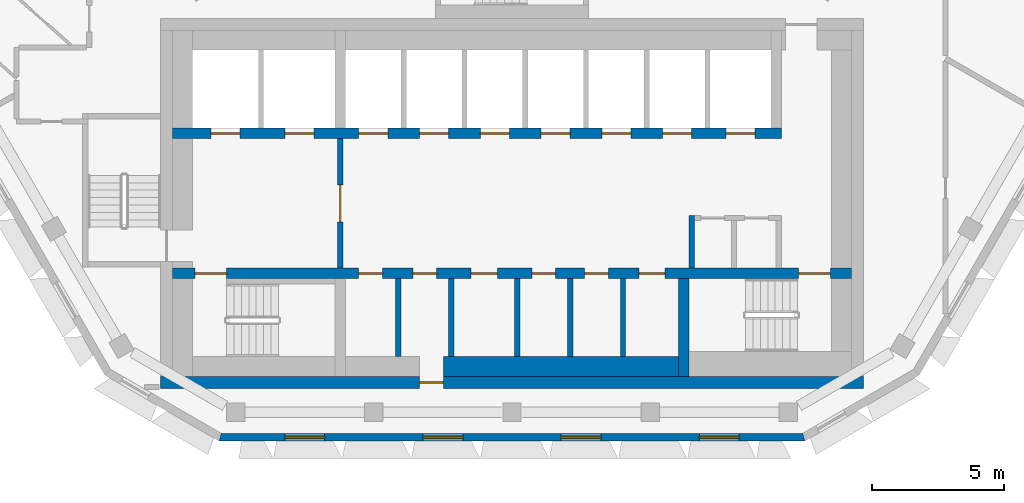
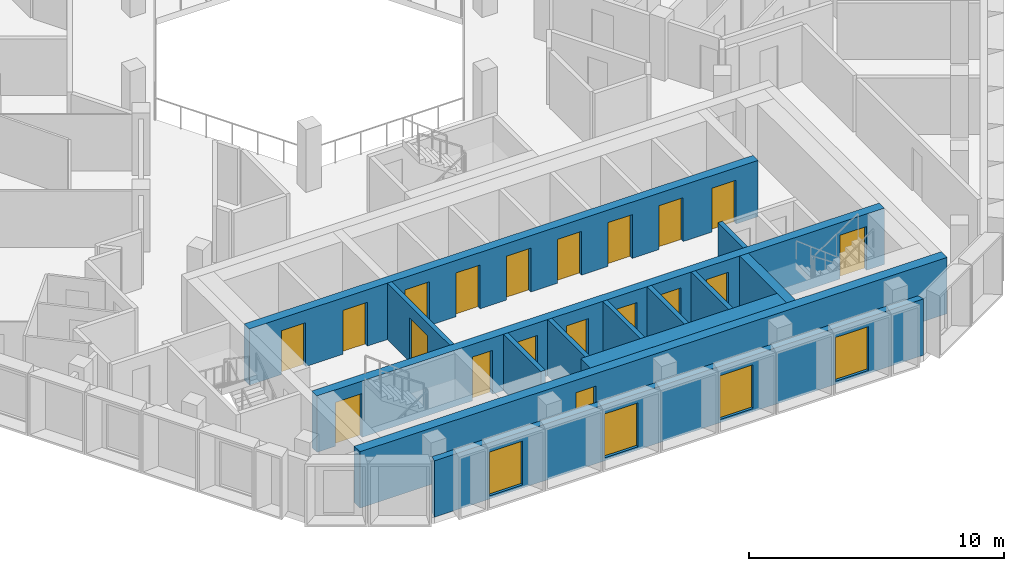
# One storey, part 3 of 14: 19 doors, 13 walls, 4 windows, 23 openings.
"""IFC4 building model written with IfcOpenShell, lengths in metres."""

from ifc_helpers import new_model, si_unit, direction, frame, frame_2d, origin, place, context, subcontext, project, spatial, polyline, rectangle, outline, extrude, material, layer, layer_set, type_object, element, fill, save


model = new_model("IFC4")

# Units and contexts
model_context = context("Model", 3, precision=1e-05, world=origin(), true_north=direction((0.0, 1.0)))
body_context = subcontext(model_context, "Body", "Model", "MODEL_VIEW")
ifc_project = project(units=[si_unit("LENGTHUNIT", "METRE"), si_unit("AREAUNIT", "SQUARE_METRE"), si_unit("VOLUMEUNIT", "CUBIC_METRE"), si_unit("PLANEANGLEUNIT", "RADIAN"), si_unit("MASSUNIT", "GRAM", prefix="KILO")], contexts=[model_context])

# Site, building, storey
site_placement = place(None, origin())
site = spatial("IfcSite", under=ifc_project, at=site_placement, CompositionType="ELEMENT")
building_placement = place(site_placement, origin())
building = spatial("IfcBuilding", under=site, at=building_placement, Name="Beryl Residences", CompositionType="ELEMENT")
storey_placement = place(building_placement, frame((0.0, 0.0, 229.800048828125)))
storey = spatial("IfcBuildingStorey", under=building, at=storey_placement, Name="L71", CompositionType="ELEMENT", Elevation=229.800048828125)

# Wall, openings, windows
ifc_material_1 = material(Name="Composite metal panel with mineral wool insulation")
ifc_layer_1 = layer(ifc_material_1, 0.300048828125)
ifc_layer_set_1 = layer_set([ifc_layer_1], Name="ES1 pale metal composite panel wall 300 mm")
wall_type_1 = type_object("IfcWallType", Name="ES1 pale metal composite panel wall 300 mm", PredefinedType="SOLIDWALL", material=ifc_layer_set_1)
wall_1_placement = place(storey_placement, frame((-11.0849609375, -20.85009765625, 0.0), z_axis=(0.0, 0.0, 1.0), x_axis=(1.0, 0.0, 0.0)))
wall_1 = element("IfcWall", 1, at=wall_1_placement, inside=storey, type_object=wall_type_1, Name="ES1 external wall L71 S", PredefinedType="SOLIDWALL", context=body_context, shape_type="SweptSolid", body=[
    extrude(outline(polyline([(0.0, -0.14990234375), (22.169921875, -0.14990234375), (22.089599609375, 0.14990234375), (0.080322265625, 0.14990234375), (0.0, -0.14990234375)])), origin(), (0.0, 0.0, 1.0), 2.699951171875),
])
opening_1_placement = place(wall_1_placement, frame((2.498046875, 0.0, 0.14990234375)))
opening_1 = element("IfcOpeningElement", 2, at=opening_1_placement, cuts=wall_1, Name="Opening W1", PredefinedType="OPENING", context=body_context, shape_type="SweptSolid", body=[
    extrude(rectangle(XDim=1.5, YDim=2.10009765625, at=frame_2d((0.75, 1.050048828125))), frame((0.0, 0.159912109375, 0.0), z_axis=(0.0, -1.0, 0.0), x_axis=(1.0, 0.0, 0.0)), (0.0, 0.0, 1.0), 0.320068359375),
])
opening_2_placement = place(wall_1_placement, frame((7.722900390625, 0.0, 0.14990234375)))
opening_2 = element("IfcOpeningElement", 3, at=opening_2_placement, cuts=wall_1, Name="Opening W1", PredefinedType="OPENING", context=body_context, shape_type="SweptSolid", body=[
    extrude(rectangle(XDim=1.5, YDim=2.10009765625, at=frame_2d((0.75, 1.050048828125))), frame((0.0, 0.159912109375, 0.0), z_axis=(0.0, -1.0, 0.0), x_axis=(1.0, 0.0, 0.0)), (0.0, 0.0, 1.0), 0.320068359375),
])
opening_3_placement = place(wall_1_placement, frame((12.947021484375, 0.0, 0.14990234375)))
opening_3 = element("IfcOpeningElement", 4, at=opening_3_placement, cuts=wall_1, Name="Opening W1", PredefinedType="OPENING", context=body_context, shape_type="SweptSolid", body=[
    extrude(rectangle(XDim=1.5, YDim=2.10009765625, at=frame_2d((0.75, 1.050048828125))), frame((0.0, 0.159912109375, 0.0), z_axis=(0.0, -1.0, 0.0), x_axis=(1.0, 0.0, 0.0)), (0.0, 0.0, 1.0), 0.320068359375),
])
opening_4_placement = place(wall_1_placement, frame((18.172119140625, 0.0, 0.14990234375)))
opening_4 = element("IfcOpeningElement", 5, at=opening_4_placement, cuts=wall_1, Name="Opening W1", PredefinedType="OPENING", context=body_context, shape_type="SweptSolid", body=[
    extrude(rectangle(XDim=1.5, YDim=2.10009765625, at=frame_2d((0.75, 1.050048828125))), frame((0.0, 0.159912109375, 0.0), z_axis=(0.0, -1.0, 0.0), x_axis=(1.0, 0.0, 0.0)), (0.0, 0.0, 1.0), 0.320068359375),
])
ifc_material_2 = material(Name="Aluminium and clear glass", Category="aluminium")
window_type = type_object("IfcWindowType", Name="W1 cell window 1500 x 2100 mm", PartitioningType="SINGLE_PANEL", PredefinedType="WINDOW", material=ifc_material_2)
window_1_placement = place(opening_1_placement, origin())
window_1 = element("IfcWindow", 6, at=window_1_placement, inside=storey, type_object=window_type, Name="W1 window L71 S 2", OverallHeight=2.10009765625, OverallWidth=1.5, PartitioningType="SINGLE_PANEL", PredefinedType="WINDOW", context=body_context, shape_type="SweptSolid", body=[
    extrude(rectangle(XDim=1.5, YDim=2.10009765625, at=frame_2d((0.75, 1.050048828125))), frame((0.0, 0.030029296875, 0.0), z_axis=(0.0, -1.0, 0.0), x_axis=(1.0, 0.0, 0.0)), (0.0, 0.0, 1.0), 0.06005859375),
])
fill(opening_1, window_1)
window_2_placement = place(opening_2_placement, origin())
window_2 = element("IfcWindow", 7, at=window_2_placement, inside=storey, type_object=window_type, Name="W1 window L71 S 4", OverallHeight=2.10009765625, OverallWidth=1.5, PartitioningType="SINGLE_PANEL", PredefinedType="WINDOW", context=body_context, shape_type="SweptSolid", body=[
    extrude(rectangle(XDim=1.5, YDim=2.10009765625, at=frame_2d((0.75, 1.050048828125))), frame((0.0, 0.030029296875, 0.0), z_axis=(0.0, -1.0, 0.0), x_axis=(1.0, 0.0, 0.0)), (0.0, 0.0, 1.0), 0.06005859375),
])
fill(opening_2, window_2)
window_3_placement = place(opening_3_placement, origin())
window_3 = element("IfcWindow", 8, at=window_3_placement, inside=storey, type_object=window_type, Name="W1 window L71 S 6", OverallHeight=2.10009765625, OverallWidth=1.5, PartitioningType="SINGLE_PANEL", PredefinedType="WINDOW", context=body_context, shape_type="SweptSolid", body=[
    extrude(rectangle(XDim=1.5, YDim=2.10009765625, at=frame_2d((0.75, 1.050048828125))), frame((0.0, 0.030029296875, 0.0), z_axis=(0.0, -1.0, 0.0), x_axis=(1.0, 0.0, 0.0)), (0.0, 0.0, 1.0), 0.06005859375),
])
fill(opening_3, window_3)
window_4_placement = place(opening_4_placement, origin())
window_4 = element("IfcWindow", 9, at=window_4_placement, inside=storey, type_object=window_type, Name="W1 window L71 S 8", OverallHeight=2.10009765625, OverallWidth=1.5, PartitioningType="SINGLE_PANEL", PredefinedType="WINDOW", context=body_context, shape_type="SweptSolid", body=[
    extrude(rectangle(XDim=1.5, YDim=2.10009765625, at=frame_2d((0.75, 1.050048828125))), frame((0.0, 0.030029296875, 0.0), z_axis=(0.0, -1.0, 0.0), x_axis=(1.0, 0.0, 0.0)), (0.0, 0.0, 1.0), 0.06005859375),
])
fill(opening_4, window_4)

# Wall, opening, door
ifc_material_3 = material(Name="Concrete masonry", Category="masonry")
ifc_layer_2 = layer(ifc_material_3, 0.199951171875)
ifc_layer_set_2 = layer_set([ifc_layer_2], Name="PT13 lobby wall 200 mm")
wall_type_2 = type_object("IfcWallType", Name="PT13 lobby wall 200 mm", PredefinedType="PARTITIONING", material=ifc_layer_set_2)
wall_2_placement = place(storey_placement, frame((-6.5, -14.449951171875, 0.0), z_axis=(0.0, 0.0, 1.0), x_axis=(0.0, 1.0, 0.0)))
wall_2 = element("IfcWall", 10, at=wall_2_placement, inside=storey, type_object=wall_type_2, Name="Lobby wall 12", PredefinedType="PARTITIONING", context=body_context, shape_type="SweptSolid", body=[
    extrude(rectangle(XDim=4.89990234375, YDim=0.199951171875, at=frame_2d((2.449951171875, 0.0))), origin(), (0.0, 0.0, 1.0), 2.699951171875),
])
opening_5_placement = place(wall_2_placement, frame((3.14990234375, 0.0, 0.0), z_axis=(0.0, 0.0, 1.0), x_axis=(-1.0, 0.0, 0.0)))
opening_5 = element("IfcOpeningElement", 11, at=opening_5_placement, cuts=wall_2, Name="Opening FD-FFL", PredefinedType="OPENING", context=body_context, shape_type="SweptSolid", body=[
    extrude(rectangle(XDim=1.39990234375, YDim=2.10009765625, at=frame_2d((0.699951171875, 1.050048828125))), frame((0.0, 0.10986328125, 0.0), z_axis=(0.0, -1.0, 0.0), x_axis=(1.0, 0.0, 0.0)), (0.0, 0.0, 1.0), 0.219970703125),
])
ifc_material_4 = material(Name="Steel door leaf in steel frame", Category="steel")
door_type_1 = type_object("IfcDoorType", Name="D5 lobby door 1400 x 2100 mm", OperationType="DOUBLE_DOOR_SINGLE_SWING", PredefinedType="DOOR", material=ifc_material_4)
door_1_placement = place(opening_5_placement, origin())
door_1 = element("IfcDoor", 12, at=door_1_placement, inside=storey, type_object=door_type_1, Name="Door FD-FFL L71 001", OperationType="DOUBLE_DOOR_SINGLE_SWING", OverallHeight=2.10009765625, OverallWidth=1.39990234375, PredefinedType="DOOR", context=body_context, shape_type="SweptSolid", body=[
    extrude(rectangle(XDim=1.39990234375, YDim=2.10009765625, at=frame_2d((0.699951171875, 1.050048828125))), frame((0.0, 0.02490234375, 0.0), z_axis=(0.0, -1.0, 0.0), x_axis=(1.0, 0.0, 0.0)), (0.0, 0.0, 1.0), 0.050048828125),
])
fill(opening_5, door_1)

# Walls
wall_3_placement = place(storey_placement, frame((6.800048828125, -14.449951171875, 0.0), z_axis=(0.0, 0.0, 1.0), x_axis=(0.0, 1.0, 0.0)))
element("IfcWall", 13, at=wall_3_placement, inside=storey, type_object=wall_type_2, Name="Lobby wall 27", PredefinedType="PARTITIONING", context=body_context, shape_type="SweptSolid", body=[
    extrude(rectangle(XDim=2.0, YDim=0.199951171875, at=frame_2d((1.0, 0.0))), origin(), (0.0, 0.0, 1.0), 2.699951171875),
])
ifc_material_5 = material(Name="Concrete masonry", Category="masonry")
ifc_layer_3 = layer(ifc_material_5, 0.199951171875)
ifc_layer_set_3 = layer_set([ifc_layer_3], Name="PT8-200 service room wall 200 mm")
wall_type_3 = type_object("IfcWallType", Name="PT8-200 service room wall 200 mm", PredefinedType="PARTITIONING", material=ifc_layer_set_3)
for number, where, z_axis, x_axis, name in (
    (14, (-4.300048828125, -17.800048828125, 0.0), (0.0, 0.0, 1.0), (0.0, 1.0, 0.0), "Core room wall 15"),
    (15, (-2.300048828125, -17.800048828125, 0.0), (0.0, 0.0, 1.0), (0.0, 1.0, 0.0), "Core room wall 18"),
    (16, (0.199951171875, -17.800048828125, 0.0), (0.0, 0.0, 1.0), (0.0, 1.0, 0.0), "Core room wall 20"),
    (17, (2.199951171875, -17.800048828125, 0.0), (0.0, 0.0, 1.0), (0.0, 1.0, 0.0), "Core room wall 22"),
    (18, (4.199951171875, -17.800048828125, 0.0), (0.0, 0.0, 1.0), (0.0, 1.0, 0.0), "Core room wall 24"),
):
    element("IfcWall", number, at=place(storey_placement, frame(where, z_axis=z_axis, x_axis=x_axis)), inside=storey, type_object=wall_type_3, Name=name, PredefinedType="PARTITIONING", context=body_context, shape_type="SweptSolid", body=[
        extrude(rectangle(XDim=2.949951171875, YDim=0.199951171875, at=frame_2d((1.47509765625, 0.0))), origin(), (0.0, 0.0, 1.0), 2.699951171875),
    ])
ifc_material_6 = material(Name="Concrete masonry", Category="masonry")
ifc_layer_4 = layer(ifc_material_6, 0.75)
ifc_layer_set_4 = layer_set([ifc_layer_4], Name="PT8-750 service room wall 750 mm")
wall_type_4 = type_object("IfcWallType", Name="PT8-750 service room wall 750 mm", PredefinedType="PARTITIONING", material=ifc_layer_set_4)
wall_4_placement = place(storey_placement, frame((-2.60009765625, -18.175048828125, 0.0), z_axis=(0.0, 0.0, 1.0), x_axis=(1.0, 0.0, 0.0)))
element("IfcWall", 19, at=wall_4_placement, inside=storey, type_object=wall_type_4, Name="Core room wall 17", PredefinedType="PARTITIONING", context=body_context, shape_type="SweptSolid", body=[
    extrude(rectangle(XDim=8.900146484375, YDim=0.75, at=frame_2d((4.4501953125, 0.0))), origin(), (0.0, 0.0, 1.0), 2.699951171875),
])

# Wall, openings, doors
ifc_material_7 = material(Name="Concrete C50/60", Category="concrete")
ifc_layer_5 = layer(ifc_material_7, 0.39990234375)
ifc_layer_set_5 = layer_set([ifc_layer_5], Name="SW10 core internal wall 400 mm C50/60")
wall_type_5 = type_object("IfcWallType", Name="SW10 core internal wall 400 mm C50/60", PredefinedType="SHEAR", material=ifc_layer_set_5)
wall_5_placement = place(storey_placement, frame((-12.85009765625, -14.64990234375, 0.0), z_axis=(0.0, 0.0, 1.0), x_axis=(1.0, 0.0, 0.0)))
wall_5 = element("IfcWall", 20, at=wall_5_placement, inside=storey, type_object=wall_type_5, Name="Core wall SP1 L71", PredefinedType="SHEAR", context=body_context, shape_type="SweptSolid", body=[
    extrude(rectangle(XDim=25.7001953125, YDim=0.39990234375, at=frame_2d((12.85009765625, 0.0))), origin(), (0.0, 0.0, 1.0), 2.699951171875),
])
opening_6_placement = place(wall_5_placement, frame((2.050048828125, 0.0, 0.0), z_axis=(0.0, 0.0, 1.0), x_axis=(-1.0, 0.0, 0.0)))
opening_6 = element("IfcOpeningElement", 21, at=opening_6_placement, cuts=wall_5, Name="Opening SD-1", PredefinedType="OPENING", context=body_context, shape_type="SweptSolid", body=[
    extrude(rectangle(XDim=1.199951171875, YDim=2.10009765625, at=frame_2d((0.60009765625, 1.050048828125))), frame((0.0, 0.2099609375, 0.0), z_axis=(0.0, -1.0, 0.0), x_axis=(1.0, 0.0, 0.0)), (0.0, 0.0, 1.0), 0.419921875),
])
opening_7_placement = place(wall_5_placement, frame((24.89990234375, 0.0, 0.0), z_axis=(0.0, 0.0, 1.0), x_axis=(-1.0, 0.0, 0.0)))
opening_7 = element("IfcOpeningElement", 22, at=opening_7_placement, cuts=wall_5, Name="Opening SD-3", PredefinedType="OPENING", context=body_context, shape_type="SweptSolid", body=[
    extrude(rectangle(XDim=1.199951171875, YDim=2.10009765625, at=frame_2d((0.60009765625, 1.050048828125))), frame((0.0, 0.2099609375, 0.0), z_axis=(0.0, -1.0, 0.0), x_axis=(1.0, 0.0, 0.0)), (0.0, 0.0, 1.0), 0.419921875),
])
opening_8_placement = place(wall_5_placement, frame((7.949951171875, 0.0, 0.0), z_axis=(0.0, 0.0, 1.0), x_axis=(-1.0, 0.0, 0.0)))
opening_8 = element("IfcOpeningElement", 23, at=opening_8_placement, cuts=wall_5, Name="Opening CD-D-S1-900", PredefinedType="OPENING", context=body_context, shape_type="SweptSolid", body=[
    extrude(rectangle(XDim=0.89990234375, YDim=2.10009765625, at=frame_2d((0.449951171875, 1.050048828125))), frame((0.0, 0.2099609375, 0.0), z_axis=(0.0, -1.0, 0.0), x_axis=(1.0, 0.0, 0.0)), (0.0, 0.0, 1.0), 0.419921875),
])
opening_9_placement = place(wall_5_placement, frame((10.0, 0.0, 0.0), z_axis=(0.0, 0.0, 1.0), x_axis=(-1.0, 0.0, 0.0)))
opening_9 = element("IfcOpeningElement", 24, at=opening_9_placement, cuts=wall_5, Name="Opening CD-D-S2-900", PredefinedType="OPENING", context=body_context, shape_type="SweptSolid", body=[
    extrude(rectangle(XDim=0.89990234375, YDim=2.10009765625, at=frame_2d((0.449951171875, 1.050048828125))), frame((0.0, 0.2099609375, 0.0), z_axis=(0.0, -1.0, 0.0), x_axis=(1.0, 0.0, 0.0)), (0.0, 0.0, 1.0), 0.419921875),
])
opening_10_placement = place(wall_5_placement, frame((12.300048828125, 0.0, 0.0), z_axis=(0.0, 0.0, 1.0), x_axis=(-1.0, 0.0, 0.0)))
opening_10 = element("IfcOpeningElement", 25, at=opening_10_placement, cuts=wall_5, Name="Opening CD-D-S3", PredefinedType="OPENING", context=body_context, shape_type="SweptSolid", body=[
    extrude(rectangle(XDim=1.0, YDim=2.10009765625, at=frame_2d((0.5, 1.050048828125))), frame((0.0, 0.2099609375, 0.0), z_axis=(0.0, -1.0, 0.0), x_axis=(1.0, 0.0, 0.0)), (0.0, 0.0, 1.0), 0.419921875),
])
opening_11_placement = place(wall_5_placement, frame((14.5, 0.0, 0.0), z_axis=(0.0, 0.0, 1.0), x_axis=(-1.0, 0.0, 0.0)))
opening_11 = element("IfcOpeningElement", 26, at=opening_11_placement, cuts=wall_5, Name="Opening CD-D-S4-900", PredefinedType="OPENING", context=body_context, shape_type="SweptSolid", body=[
    extrude(rectangle(XDim=0.89990234375, YDim=2.10009765625, at=frame_2d((0.449951171875, 1.050048828125))), frame((0.0, 0.2099609375, 0.0), z_axis=(0.0, -1.0, 0.0), x_axis=(1.0, 0.0, 0.0)), (0.0, 0.0, 1.0), 0.419921875),
])
opening_12_placement = place(wall_5_placement, frame((16.5, 0.0, 0.0), z_axis=(0.0, 0.0, 1.0), x_axis=(-1.0, 0.0, 0.0)))
opening_12 = element("IfcOpeningElement", 27, at=opening_12_placement, cuts=wall_5, Name="Opening CD-D-S5-900", PredefinedType="OPENING", context=body_context, shape_type="SweptSolid", body=[
    extrude(rectangle(XDim=0.89990234375, YDim=2.10009765625, at=frame_2d((0.449951171875, 1.050048828125))), frame((0.0, 0.2099609375, 0.0), z_axis=(0.0, -1.0, 0.0), x_axis=(1.0, 0.0, 0.0)), (0.0, 0.0, 1.0), 0.419921875),
])
opening_13_placement = place(wall_5_placement, frame((18.64990234375, 0.0, 0.0), z_axis=(0.0, 0.0, 1.0), x_axis=(-1.0, 0.0, 0.0)))
opening_13 = element("IfcOpeningElement", 28, at=opening_13_placement, cuts=wall_5, Name="Opening CD-D-S6", PredefinedType="OPENING", context=body_context, shape_type="SweptSolid", body=[
    extrude(rectangle(XDim=1.0, YDim=2.10009765625, at=frame_2d((0.5, 1.050048828125))), frame((0.0, 0.2099609375, 0.0), z_axis=(0.0, -1.0, 0.0), x_axis=(1.0, 0.0, 0.0)), (0.0, 0.0, 1.0), 0.419921875),
])
ifc_material_8 = material(Name="Steel door leaf in steel frame", Category="steel")
door_type_2 = type_object("IfcDoorType", Name="D18 service room door 1000 x 2100 mm", OperationType="SINGLE_SWING_LEFT", PredefinedType="DOOR", material=ifc_material_8)
door_2_placement = place(opening_10_placement, origin())
door_2 = element("IfcDoor", 29, at=door_2_placement, inside=storey, type_object=door_type_2, Name="Door CD-D-S3 L71 001", OperationType="SINGLE_SWING_RIGHT", OverallHeight=2.10009765625, OverallWidth=1.0, PredefinedType="DOOR", context=body_context, shape_type="SweptSolid", body=[
    extrude(rectangle(XDim=1.0, YDim=2.10009765625, at=frame_2d((0.5, 1.050048828125))), frame((0.0, 0.02490234375, 0.0), z_axis=(0.0, -1.0, 0.0), x_axis=(1.0, 0.0, 0.0)), (0.0, 0.0, 1.0), 0.050048828125),
])
fill(opening_10, door_2)
door_3_placement = place(opening_13_placement, origin())
door_3 = element("IfcDoor", 30, at=door_3_placement, inside=storey, type_object=door_type_2, Name="Door CD-D-S6 L71 001", OperationType="SINGLE_SWING_LEFT", OverallHeight=2.10009765625, OverallWidth=1.0, PredefinedType="DOOR", context=body_context, shape_type="SweptSolid", body=[
    extrude(rectangle(XDim=1.0, YDim=2.10009765625, at=frame_2d((0.5, 1.050048828125))), frame((0.0, 0.02490234375, 0.0), z_axis=(0.0, -1.0, 0.0), x_axis=(1.0, 0.0, 0.0)), (0.0, 0.0, 1.0), 0.050048828125),
])
fill(opening_13, door_3)
ifc_material_9 = material(Name="Steel door leaf in steel frame", Category="steel")
door_type_3 = type_object("IfcDoorType", Name="D4 stair door 1200 x 2100 mm", OperationType="SINGLE_SWING_LEFT", PredefinedType="DOOR", material=ifc_material_9)
door_4_placement = place(opening_6_placement, origin())
door_4 = element("IfcDoor", 31, at=door_4_placement, inside=storey, type_object=door_type_3, Name="Door SD-1 L71 001", OperationType="SINGLE_SWING_RIGHT", OverallHeight=2.10009765625, OverallWidth=1.199951171875, PredefinedType="DOOR", context=body_context, shape_type="SweptSolid", body=[
    extrude(rectangle(XDim=1.199951171875, YDim=2.10009765625, at=frame_2d((0.60009765625, 1.050048828125))), frame((0.0, 0.02490234375, 0.0), z_axis=(0.0, -1.0, 0.0), x_axis=(1.0, 0.0, 0.0)), (0.0, 0.0, 1.0), 0.050048828125),
])
fill(opening_6, door_4)
door_5_placement = place(opening_7_placement, origin())
door_5 = element("IfcDoor", 32, at=door_5_placement, inside=storey, type_object=door_type_3, Name="Door SD-3 L71 001", OperationType="SINGLE_SWING_RIGHT", OverallHeight=2.10009765625, OverallWidth=1.199951171875, PredefinedType="DOOR", context=body_context, shape_type="SweptSolid", body=[
    extrude(rectangle(XDim=1.199951171875, YDim=2.10009765625, at=frame_2d((0.60009765625, 1.050048828125))), frame((0.0, 0.02490234375, 0.0), z_axis=(0.0, -1.0, 0.0), x_axis=(1.0, 0.0, 0.0)), (0.0, 0.0, 1.0), 0.050048828125),
])
fill(opening_7, door_5)
ifc_material_10 = material(Name="Steel door leaf in steel frame", Category="steel")
door_type_4 = type_object("IfcDoorType", Name="D6 service room door 900 x 2100 mm", OperationType="SINGLE_SWING_LEFT", PredefinedType="DOOR", material=ifc_material_10)
door_6_placement = place(opening_8_placement, origin())
door_6 = element("IfcDoor", 33, at=door_6_placement, inside=storey, type_object=door_type_4, Name="Door CD-D-S1-900 L71 001", OperationType="SINGLE_SWING_RIGHT", OverallHeight=2.10009765625, OverallWidth=0.89990234375, PredefinedType="DOOR", context=body_context, shape_type="SweptSolid", body=[
    extrude(rectangle(XDim=0.89990234375, YDim=2.10009765625, at=frame_2d((0.449951171875, 1.050048828125))), frame((0.0, 0.02490234375, 0.0), z_axis=(0.0, -1.0, 0.0), x_axis=(1.0, 0.0, 0.0)), (0.0, 0.0, 1.0), 0.050048828125),
])
fill(opening_8, door_6)
door_7_placement = place(opening_9_placement, origin())
door_7 = element("IfcDoor", 34, at=door_7_placement, inside=storey, type_object=door_type_4, Name="Door CD-D-S2-900 L71 001", OperationType="SINGLE_SWING_LEFT", OverallHeight=2.10009765625, OverallWidth=0.89990234375, PredefinedType="DOOR", context=body_context, shape_type="SweptSolid", body=[
    extrude(rectangle(XDim=0.89990234375, YDim=2.10009765625, at=frame_2d((0.449951171875, 1.050048828125))), frame((0.0, 0.02490234375, 0.0), z_axis=(0.0, -1.0, 0.0), x_axis=(1.0, 0.0, 0.0)), (0.0, 0.0, 1.0), 0.050048828125),
])
fill(opening_9, door_7)
door_8_placement = place(opening_11_placement, origin())
door_8 = element("IfcDoor", 35, at=door_8_placement, inside=storey, type_object=door_type_4, Name="Door CD-D-S4-900 L71 001", OperationType="SINGLE_SWING_LEFT", OverallHeight=2.10009765625, OverallWidth=0.89990234375, PredefinedType="DOOR", context=body_context, shape_type="SweptSolid", body=[
    extrude(rectangle(XDim=0.89990234375, YDim=2.10009765625, at=frame_2d((0.449951171875, 1.050048828125))), frame((0.0, 0.02490234375, 0.0), z_axis=(0.0, -1.0, 0.0), x_axis=(1.0, 0.0, 0.0)), (0.0, 0.0, 1.0), 0.050048828125),
])
fill(opening_11, door_8)
door_9_placement = place(opening_12_placement, origin())
door_9 = element("IfcDoor", 36, at=door_9_placement, inside=storey, type_object=door_type_4, Name="Door CD-D-S5-900 L71 001", OperationType="SINGLE_SWING_RIGHT", OverallHeight=2.10009765625, OverallWidth=0.89990234375, PredefinedType="DOOR", context=body_context, shape_type="SweptSolid", body=[
    extrude(rectangle(XDim=0.89990234375, YDim=2.10009765625, at=frame_2d((0.449951171875, 1.050048828125))), frame((0.0, 0.02490234375, 0.0), z_axis=(0.0, -1.0, 0.0), x_axis=(1.0, 0.0, 0.0)), (0.0, 0.0, 1.0), 0.050048828125),
])
fill(opening_12, door_9)

wall_6_placement = place(storey_placement, frame((-12.85009765625, -9.35009765625, 0.0), z_axis=(0.0, 0.0, 1.0), x_axis=(1.0, 0.0, 0.0)))
wall_6 = element("IfcWall", 37, at=wall_6_placement, inside=storey, type_object=wall_type_5, Name="Core wall SP2 L71", PredefinedType="SHEAR", context=body_context, shape_type="SweptSolid", body=[
    extrude(rectangle(XDim=23.050048828125, YDim=0.39990234375, at=frame_2d((11.52490234375, 0.0))), origin(), (0.0, 0.0, 1.0), 2.699951171875),
])
opening_14_placement = place(wall_6_placement, frame((1.449951171875, 0.0, 0.0)))
opening_14 = element("IfcOpeningElement", 38, at=opening_14_placement, cuts=wall_6, Name="Opening LD-FF1", PredefinedType="OPENING", context=body_context, shape_type="SweptSolid", body=[
    extrude(rectangle(XDim=1.10009765625, YDim=2.10009765625, at=frame_2d((0.550048828125, 1.050048828125))), frame((0.0, 0.2099609375, 0.0), z_axis=(0.0, -1.0, 0.0), x_axis=(1.0, 0.0, 0.0)), (0.0, 0.0, 1.0), 0.419921875),
])
opening_15_placement = place(wall_6_placement, frame((4.25, 0.0, 0.0)))
opening_15 = element("IfcOpeningElement", 39, at=opening_15_placement, cuts=wall_6, Name="Opening LD-FF2", PredefinedType="OPENING", context=body_context, shape_type="SweptSolid", body=[
    extrude(rectangle(XDim=1.10009765625, YDim=2.10009765625, at=frame_2d((0.550048828125, 1.050048828125))), frame((0.0, 0.2099609375, 0.0), z_axis=(0.0, -1.0, 0.0), x_axis=(1.0, 0.0, 0.0)), (0.0, 0.0, 1.0), 0.419921875),
])
opening_16_placement = place(wall_6_placement, frame((7.050048828125, 0.0, 0.0)))
opening_16 = element("IfcOpeningElement", 40, at=opening_16_placement, cuts=wall_6, Name="Opening LD-HR1", PredefinedType="OPENING", context=body_context, shape_type="SweptSolid", body=[
    extrude(rectangle(XDim=1.10009765625, YDim=2.10009765625, at=frame_2d((0.550048828125, 1.050048828125))), frame((0.0, 0.2099609375, 0.0), z_axis=(0.0, -1.0, 0.0), x_axis=(1.0, 0.0, 0.0)), (0.0, 0.0, 1.0), 0.419921875),
])
opening_17_placement = place(wall_6_placement, frame((9.35009765625, 0.0, 0.0)))
opening_17 = element("IfcOpeningElement", 41, at=opening_17_placement, cuts=wall_6, Name="Opening LD-HR2", PredefinedType="OPENING", context=body_context, shape_type="SweptSolid", body=[
    extrude(rectangle(XDim=1.10009765625, YDim=2.10009765625, at=frame_2d((0.550048828125, 1.050048828125))), frame((0.0, 0.2099609375, 0.0), z_axis=(0.0, -1.0, 0.0), x_axis=(1.0, 0.0, 0.0)), (0.0, 0.0, 1.0), 0.419921875),
])
opening_18_placement = place(wall_6_placement, frame((11.64990234375, 0.0, 0.0)))
opening_18 = element("IfcOpeningElement", 42, at=opening_18_placement, cuts=wall_6, Name="Opening LD-HR3", PredefinedType="OPENING", context=body_context, shape_type="SweptSolid", body=[
    extrude(rectangle(XDim=1.10009765625, YDim=2.10009765625, at=frame_2d((0.550048828125, 1.050048828125))), frame((0.0, 0.2099609375, 0.0), z_axis=(0.0, -1.0, 0.0), x_axis=(1.0, 0.0, 0.0)), (0.0, 0.0, 1.0), 0.419921875),
])
opening_19_placement = place(wall_6_placement, frame((13.949951171875, 0.0, 0.0)))
opening_19 = element("IfcOpeningElement", 43, at=opening_19_placement, cuts=wall_6, Name="Opening LD-HR4", PredefinedType="OPENING", context=body_context, shape_type="SweptSolid", body=[
    extrude(rectangle(XDim=1.10009765625, YDim=2.10009765625, at=frame_2d((0.550048828125, 1.050048828125))), frame((0.0, 0.2099609375, 0.0), z_axis=(0.0, -1.0, 0.0), x_axis=(1.0, 0.0, 0.0)), (0.0, 0.0, 1.0), 0.419921875),
])
opening_20_placement = place(wall_6_placement, frame((16.25, 0.0, 0.0)))
opening_20 = element("IfcOpeningElement", 44, at=opening_20_placement, cuts=wall_6, Name="Opening LD-HR5", PredefinedType="OPENING", context=body_context, shape_type="SweptSolid", body=[
    extrude(rectangle(XDim=1.10009765625, YDim=2.10009765625, at=frame_2d((0.550048828125, 1.050048828125))), frame((0.0, 0.2099609375, 0.0), z_axis=(0.0, -1.0, 0.0), x_axis=(1.0, 0.0, 0.0)), (0.0, 0.0, 1.0), 0.419921875),
])
opening_21_placement = place(wall_6_placement, frame((18.550048828125, 0.0, 0.0)))
opening_21 = element("IfcOpeningElement", 45, at=opening_21_placement, cuts=wall_6, Name="Opening LD-HR6", PredefinedType="OPENING", context=body_context, shape_type="SweptSolid", body=[
    extrude(rectangle(XDim=1.10009765625, YDim=2.10009765625, at=frame_2d((0.550048828125, 1.050048828125))), frame((0.0, 0.2099609375, 0.0), z_axis=(0.0, -1.0, 0.0), x_axis=(1.0, 0.0, 0.0)), (0.0, 0.0, 1.0), 0.419921875),
])
opening_22_placement = place(wall_6_placement, frame((20.949951171875, 0.0, 0.0)))
opening_22 = element("IfcOpeningElement", 46, at=opening_22_placement, cuts=wall_6, Name="Opening LD-SL1", PredefinedType="OPENING", context=body_context, shape_type="SweptSolid", body=[
    extrude(rectangle(XDim=1.10009765625, YDim=2.10009765625, at=frame_2d((0.550048828125, 1.050048828125))), frame((0.0, 0.2099609375, 0.0), z_axis=(0.0, -1.0, 0.0), x_axis=(1.0, 0.0, 0.0)), (0.0, 0.0, 1.0), 0.419921875),
])
ifc_material_11 = material(Name="Stainless steel sliding door", Category="steel")
door_type_5 = type_object("IfcDoorType", Name="LD1 lift landing door 1100 x 2100 mm", OperationType="DOUBLE_DOOR_SLIDING", PredefinedType="DOOR", material=ifc_material_11)
door_10_placement = place(opening_14_placement, origin())
door_10 = element("IfcDoor", 47, at=door_10_placement, inside=storey, type_object=door_type_5, Name="Lift landing door FF1", OperationType="DOUBLE_DOOR_SLIDING", OverallHeight=2.10009765625, OverallWidth=1.10009765625, PredefinedType="DOOR", context=body_context, shape_type="SweptSolid", body=[
    extrude(rectangle(XDim=1.10009765625, YDim=2.10009765625, at=frame_2d((0.550048828125, 1.050048828125))), frame((0.0, 0.02490234375, 0.0), z_axis=(0.0, -1.0, 0.0), x_axis=(1.0, 0.0, 0.0)), (0.0, 0.0, 1.0), 0.050048828125),
])
fill(opening_14, door_10)
door_11_placement = place(opening_15_placement, origin())
door_11 = element("IfcDoor", 48, at=door_11_placement, inside=storey, type_object=door_type_5, Name="Lift landing door FF2", OperationType="DOUBLE_DOOR_SLIDING", OverallHeight=2.10009765625, OverallWidth=1.10009765625, PredefinedType="DOOR", context=body_context, shape_type="SweptSolid", body=[
    extrude(rectangle(XDim=1.10009765625, YDim=2.10009765625, at=frame_2d((0.550048828125, 1.050048828125))), frame((0.0, 0.02490234375, 0.0), z_axis=(0.0, -1.0, 0.0), x_axis=(1.0, 0.0, 0.0)), (0.0, 0.0, 1.0), 0.050048828125),
])
fill(opening_15, door_11)
door_12_placement = place(opening_16_placement, origin())
door_12 = element("IfcDoor", 49, at=door_12_placement, inside=storey, type_object=door_type_5, Name="Lift landing door HR1", OperationType="DOUBLE_DOOR_SLIDING", OverallHeight=2.10009765625, OverallWidth=1.10009765625, PredefinedType="DOOR", context=body_context, shape_type="SweptSolid", body=[
    extrude(rectangle(XDim=1.10009765625, YDim=2.10009765625, at=frame_2d((0.550048828125, 1.050048828125))), frame((0.0, 0.02490234375, 0.0), z_axis=(0.0, -1.0, 0.0), x_axis=(1.0, 0.0, 0.0)), (0.0, 0.0, 1.0), 0.050048828125),
])
fill(opening_16, door_12)
door_13_placement = place(opening_17_placement, origin())
door_13 = element("IfcDoor", 50, at=door_13_placement, inside=storey, type_object=door_type_5, Name="Lift landing door HR2", OperationType="DOUBLE_DOOR_SLIDING", OverallHeight=2.10009765625, OverallWidth=1.10009765625, PredefinedType="DOOR", context=body_context, shape_type="SweptSolid", body=[
    extrude(rectangle(XDim=1.10009765625, YDim=2.10009765625, at=frame_2d((0.550048828125, 1.050048828125))), frame((0.0, 0.02490234375, 0.0), z_axis=(0.0, -1.0, 0.0), x_axis=(1.0, 0.0, 0.0)), (0.0, 0.0, 1.0), 0.050048828125),
])
fill(opening_17, door_13)
door_14_placement = place(opening_18_placement, origin())
door_14 = element("IfcDoor", 51, at=door_14_placement, inside=storey, type_object=door_type_5, Name="Lift landing door HR3", OperationType="DOUBLE_DOOR_SLIDING", OverallHeight=2.10009765625, OverallWidth=1.10009765625, PredefinedType="DOOR", context=body_context, shape_type="SweptSolid", body=[
    extrude(rectangle(XDim=1.10009765625, YDim=2.10009765625, at=frame_2d((0.550048828125, 1.050048828125))), frame((0.0, 0.02490234375, 0.0), z_axis=(0.0, -1.0, 0.0), x_axis=(1.0, 0.0, 0.0)), (0.0, 0.0, 1.0), 0.050048828125),
])
fill(opening_18, door_14)
door_15_placement = place(opening_19_placement, origin())
door_15 = element("IfcDoor", 52, at=door_15_placement, inside=storey, type_object=door_type_5, Name="Lift landing door HR4", OperationType="DOUBLE_DOOR_SLIDING", OverallHeight=2.10009765625, OverallWidth=1.10009765625, PredefinedType="DOOR", context=body_context, shape_type="SweptSolid", body=[
    extrude(rectangle(XDim=1.10009765625, YDim=2.10009765625, at=frame_2d((0.550048828125, 1.050048828125))), frame((0.0, 0.02490234375, 0.0), z_axis=(0.0, -1.0, 0.0), x_axis=(1.0, 0.0, 0.0)), (0.0, 0.0, 1.0), 0.050048828125),
])
fill(opening_19, door_15)
door_16_placement = place(opening_20_placement, origin())
door_16 = element("IfcDoor", 53, at=door_16_placement, inside=storey, type_object=door_type_5, Name="Lift landing door HR5", OperationType="DOUBLE_DOOR_SLIDING", OverallHeight=2.10009765625, OverallWidth=1.10009765625, PredefinedType="DOOR", context=body_context, shape_type="SweptSolid", body=[
    extrude(rectangle(XDim=1.10009765625, YDim=2.10009765625, at=frame_2d((0.550048828125, 1.050048828125))), frame((0.0, 0.02490234375, 0.0), z_axis=(0.0, -1.0, 0.0), x_axis=(1.0, 0.0, 0.0)), (0.0, 0.0, 1.0), 0.050048828125),
])
fill(opening_20, door_16)
door_17_placement = place(opening_21_placement, origin())
door_17 = element("IfcDoor", 54, at=door_17_placement, inside=storey, type_object=door_type_5, Name="Lift landing door HR6", OperationType="DOUBLE_DOOR_SLIDING", OverallHeight=2.10009765625, OverallWidth=1.10009765625, PredefinedType="DOOR", context=body_context, shape_type="SweptSolid", body=[
    extrude(rectangle(XDim=1.10009765625, YDim=2.10009765625, at=frame_2d((0.550048828125, 1.050048828125))), frame((0.0, 0.02490234375, 0.0), z_axis=(0.0, -1.0, 0.0), x_axis=(1.0, 0.0, 0.0)), (0.0, 0.0, 1.0), 0.050048828125),
])
fill(opening_21, door_17)
door_18_placement = place(opening_22_placement, origin())
door_18 = element("IfcDoor", 55, at=door_18_placement, inside=storey, type_object=door_type_5, Name="Lift landing door SL1", OperationType="DOUBLE_DOOR_SLIDING", OverallHeight=2.10009765625, OverallWidth=1.10009765625, PredefinedType="DOOR", context=body_context, shape_type="SweptSolid", body=[
    extrude(rectangle(XDim=1.10009765625, YDim=2.10009765625, at=frame_2d((0.550048828125, 1.050048828125))), frame((0.0, 0.02490234375, 0.0), z_axis=(0.0, -1.0, 0.0), x_axis=(1.0, 0.0, 0.0)), (0.0, 0.0, 1.0), 0.050048828125),
])
fill(opening_22, door_18)

# Wall
wall_7_placement = place(storey_placement, frame((6.5, -18.550048828125, 0.0), z_axis=(0.0, 0.0, 1.0), x_axis=(0.0, 1.0, 0.0)))
element("IfcWall", 56, at=wall_7_placement, inside=storey, type_object=wall_type_5, Name="Core wall XS2 L71", PredefinedType="SHEAR", context=body_context, shape_type="SweptSolid", body=[
    extrude(rectangle(XDim=3.699951171875, YDim=0.39990234375, at=frame_2d((1.85009765625, 0.0))), origin(), (0.0, 0.0, 1.0), 2.699951171875),
])

# Wall, opening, door
ifc_material_12 = material(Name="Concrete C50/60", Category="concrete")
ifc_layer_6 = layer(ifc_material_12, 0.449951171875)
ifc_layer_set_6 = layer_set([ifc_layer_6], Name="SW5 core outer wall 450 mm C50/60")
wall_type_6 = type_object("IfcWallType", Name="SW5 core outer wall 450 mm C50/60", PredefinedType="SHEAR", material=ifc_layer_set_6)
wall_8_placement = place(storey_placement, frame((-13.300048828125, -18.77490234375, 0.0), z_axis=(0.0, 0.0, 1.0), x_axis=(1.0, 0.0, 0.0)))
wall_8 = element("IfcWall", 57, at=wall_8_placement, inside=storey, type_object=wall_type_6, Name="Core wall S L71", PredefinedType="SHEAR", context=body_context, shape_type="SweptSolid", body=[
    extrude(rectangle(XDim=26.60009765625, YDim=0.449951171875, at=frame_2d((13.300048828125, 0.0))), origin(), (0.0, 0.0, 1.0), 2.699951171875),
])
opening_23_placement = place(wall_8_placement, frame((9.800048828125, 0.0, 0.0)))
opening_23 = element("IfcOpeningElement", 58, at=opening_23_placement, cuts=wall_8, Name="Opening RD-RS", PredefinedType="OPENING", context=body_context, shape_type="SweptSolid", body=[
    extrude(rectangle(XDim=0.89990234375, YDim=2.10009765625, at=frame_2d((0.449951171875, 1.050048828125))), frame((0.0, 0.23486328125, 0.0), z_axis=(0.0, -1.0, 0.0), x_axis=(1.0, 0.0, 0.0)), (0.0, 0.0, 1.0), 0.469970703125),
])
ifc_material_13 = material(Name="Steel door leaf in steel frame", Category="steel")
door_type_6 = type_object("IfcDoorType", Name="D23 riser door 900 x 2100 mm", OperationType="SINGLE_SWING_LEFT", PredefinedType="DOOR", material=ifc_material_13)
door_19_placement = place(opening_23_placement, origin())
door_19 = element("IfcDoor", 59, at=door_19_placement, inside=storey, type_object=door_type_6, Name="Door RD-RS L71 001", OperationType="SINGLE_SWING_RIGHT", OverallHeight=2.10009765625, OverallWidth=0.89990234375, PredefinedType="DOOR", context=body_context, shape_type="SweptSolid", body=[
    extrude(rectangle(XDim=0.89990234375, YDim=2.10009765625, at=frame_2d((0.449951171875, 1.050048828125))), frame((0.0, 0.02490234375, 0.0), z_axis=(0.0, -1.0, 0.0), x_axis=(1.0, 0.0, 0.0)), (0.0, 0.0, 1.0), 0.050048828125),
])
fill(opening_23, door_19)

save(model, "model.ifc")
